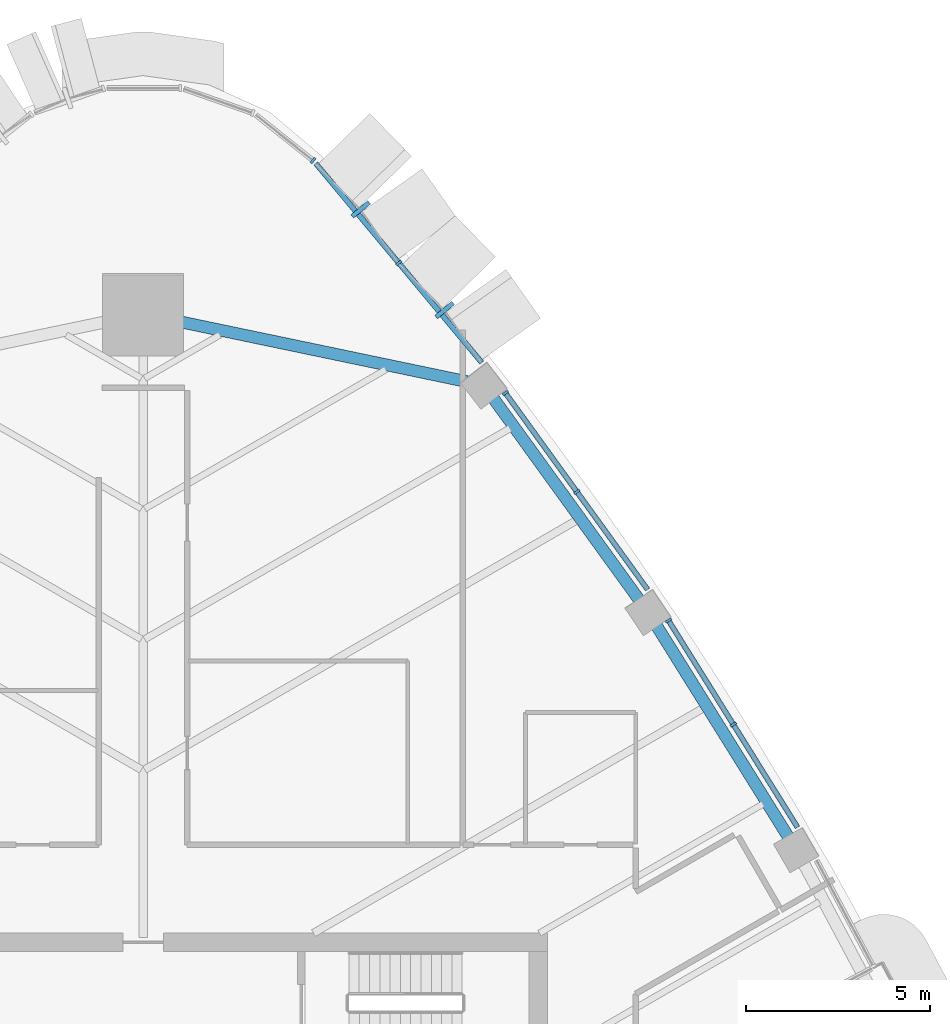
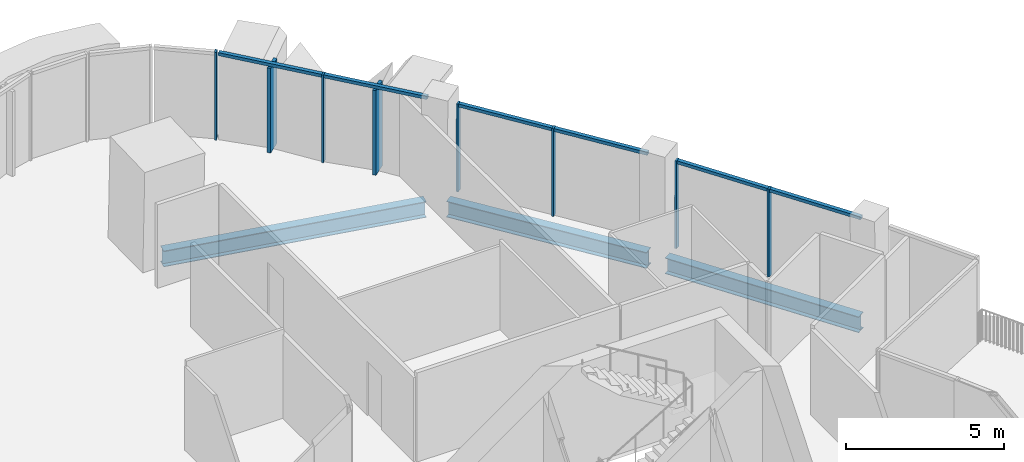
# One storey, part 8 of 21: 14 members, 3 beams, 4 elements without a shape of their own.
"""IFC4 building model written with IfcOpenShell, lengths in metres."""

import ifcopenshell
import ifcopenshell.guid

model = None  # the IFC model being written
_history = None  # IfcOwnerHistory: only IFC2X3 demands one
_inside = {}  # id of a spatial element -> (the spatial element, [elements in it])
_under = {}  # id of a project, library or spatial element -> (it, [spatial elements below it])
_declared = {}  # id of a project -> (the project, [libraries it declares])
_typed = {}  # id of a type object -> (the type object, [elements of that type])
_made_of = {}  # id of a material, layer set ... -> (it, [elements and type objects made of it])


def new_model(schema):
    """Start an empty IFC model of exactly this schema.

    Asked for "IFC4X3", IfcOpenShell would pick the latest addendum, in which some entities
    have other attributes; the version numbers below select the first issue.
    IFC2X3 requires an IfcOwnerHistory on every rooted entity: one is made here for all.
    """
    global model, _history
    if schema == "IFC4X3":
        model = ifcopenshell.file(schema_version=(4, 3, 0, 0))
    else:
        model = ifcopenshell.file(schema=schema)
    _inside.clear()
    _under.clear()
    _declared.clear()
    _typed.clear()
    _made_of.clear()
    _history = None
    if model.schema == "IFC2X3":
        org = make("IfcOrganization", Name="unknown")
        user = make(
            "IfcPersonAndOrganization",
            ThePerson=make("IfcPerson", FamilyName="unknown"),
            TheOrganization=org,
        )
        app = make(
            "IfcApplication",
            ApplicationDeveloper=org,
            Version="unknown",
            ApplicationFullName="unknown",
            ApplicationIdentifier="unknown",
        )
        _history = make(
            "IfcOwnerHistory",
            OwningUser=user,
            OwningApplication=app,
            ChangeAction="ADDED",
            CreationDate=0,
        )
    return model


def make(cls, **values):
    """One entity of the class cls with the attributes given. An attribute that is None is left unset."""
    return model.create_entity(
        cls, **{name: value for name, value in values.items() if value is not None}
    )


def rooted(cls, **values):
    """An entity with a GlobalId (a new one), such as an element, a storey or a relation."""
    return make(cls, GlobalId=ifcopenshell.guid.new(), OwnerHistory=_history, **values)


def si_unit(unit_type, name, prefix=None):
    """IfcSIUnit, for example si_unit("LENGTHUNIT", "METRE", prefix="MILLI")."""
    return make("IfcSIUnit", UnitType=unit_type, Prefix=prefix, Name=name)


def assignment(units):
    """IfcUnitAssignment: the units of a project."""
    return None if units is None else make("IfcUnitAssignment", Units=units)


def point(xyz):
    """IfcCartesianPoint."""
    return None if xyz is None else make("IfcCartesianPoint", Coordinates=xyz)


def direction(xyz):
    """IfcDirection."""
    return None if xyz is None else make("IfcDirection", DirectionRatios=xyz)


def frame(location, z_axis=None, x_axis=None):
    """IfcAxis2Placement3D, a coordinate frame: its origin and axes. An axis left out is left unset."""
    return make(
        "IfcAxis2Placement3D",
        Location=point(location),
        Axis=direction(z_axis),
        RefDirection=direction(x_axis),
    )


def frame_2d(location, x_axis=None):
    """IfcAxis2Placement2D, a coordinate frame in the plane: its origin and x axis."""
    return make(
        "IfcAxis2Placement2D", Location=point(location), RefDirection=direction(x_axis)
    )


def origin():
    """The frame at (0, 0, 0) with its axes left unset."""
    return frame((0.0, 0.0, 0.0))


def origin_2d():
    """The frame at (0, 0) in the plane with its x axis left unset."""
    return frame_2d((0.0, 0.0))


def place(relative_to, where):
    """IfcLocalPlacement: puts the frame where relative to a parent placement (None: the world)."""
    return make(
        "IfcLocalPlacement", PlacementRelTo=relative_to, RelativePlacement=where
    )


def context(
    kind, dimensions, precision=None, world=None, true_north=None, identifier=None
):
    """IfcGeometricRepresentationContext, for example the 3D "Model" context."""
    return make(
        "IfcGeometricRepresentationContext",
        ContextIdentifier=identifier,
        ContextType=kind,
        CoordinateSpaceDimension=dimensions,
        Precision=precision,
        WorldCoordinateSystem=world,
        TrueNorth=true_north,
    )


def subcontext(parent, identifier, kind, view, scale=None):
    """IfcGeometricRepresentationSubContext, for example "Body" below "Model"."""
    return make(
        "IfcGeometricRepresentationSubContext",
        ContextIdentifier=identifier,
        ContextType=kind,
        ParentContext=parent,
        TargetScale=scale,
        TargetView=view,
    )


def project(units=None, contexts=None):
    """IfcProject with its units and contexts."""
    return rooted(
        "IfcProject",
        Name="project",
        RepresentationContexts=contexts,
        UnitsInContext=assignment(units),
    )


def spatial(cls, under=None, at=None, **own):
    """A site, building, storey or space (cls), placed at a placement, below another one or the project."""
    s = rooted(cls, ObjectPlacement=at, **own)
    if under is not None:
        _under.setdefault(under.id(), (under, []))[1].append(s)
    return s


def profile(cls, at=None, kind="AREA", **sizes):
    """A parametric profile (cls). Its sizes go by their IFC names, for example OverallWidth=200.0."""
    return make(cls, ProfileType=kind, Position=at, **sizes)


def rectangle(**sizes):
    """IfcRectangleProfileDef."""
    return profile("IfcRectangleProfileDef", **sizes)


def i_section(**sizes):
    """IfcIShapeProfileDef."""
    return profile("IfcIShapeProfileDef", **sizes)


def extrude(swept, where, along, depth):
    """IfcExtrudedAreaSolid: the profile swept, set in the frame where, extruded along a direction by depth."""
    return make(
        "IfcExtrudedAreaSolid",
        SweptArea=swept,
        Position=where,
        ExtrudedDirection=direction(along),
        Depth=depth,
    )


def shape(context_of_items, identifier, shape_type, items):
    """IfcShapeRepresentation: the items that make up one representation, for example the "Body"."""
    return make(
        "IfcShapeRepresentation",
        ContextOfItems=context_of_items,
        RepresentationIdentifier=identifier,
        RepresentationType=shape_type,
        Items=items,
    )


def material(Name=None, Category=None):
    """IfcMaterial."""
    return make("IfcMaterial", Name=Name, Category=Category)


def layer(
    of_material, thickness, ventilated=None, Name=None, Category=None, Priority=None
):
    """IfcMaterialLayer: one layer of a wall or slab, of a material (None: an air gap)."""
    return make(
        "IfcMaterialLayer",
        Material=of_material,
        LayerThickness=thickness,
        IsVentilated=ventilated,
        Name=Name,
        Category=Category,
        Priority=Priority,
    )


def layer_set(layers, Name=None):
    """IfcMaterialLayerSet."""
    return make("IfcMaterialLayerSet", MaterialLayers=layers, LayerSetName=Name)


def material_profile(
    of_material, cross_section, Name=None, Category=None, Priority=None
):
    """IfcMaterialProfile: a cross section and its material."""
    return make(
        "IfcMaterialProfile",
        Name=Name,
        Material=of_material,
        Profile=cross_section,
        Priority=Priority,
        Category=Category,
    )


def profile_set(profiles, Name=None, composite=None):
    """IfcMaterialProfileSet."""
    return make(
        "IfcMaterialProfileSet",
        Name=Name,
        MaterialProfiles=profiles,
        CompositeProfile=composite,
    )


def made_of(thing, what):
    """Note that an element or type object is made of a material, layer set ...; save() writes the relation."""
    if what is not None:
        _made_of.setdefault(what.id(), (what, []))[1].append(thing)
    return thing


def type_object(cls, material=None, **own):
    """A type object (cls), such as IfcWallType, which elements share."""
    return made_of(rooted(cls, **own), material)


def element(
    cls,
    number,
    at=None,
    inside=None,
    cuts=None,
    type_object=None,
    material=None,
    context=None,
    identifier="Body",
    shape_type=None,
    held_by="IfcProductDefinitionShape",
    body=None,
    shapes=None,
    **own,
):
    """One element of the class cls, such as IfcWall. Its Tag is "e" and its number.

    at: its placement. inside: the storey or other place that contains it. cuts: it is an
    opening in that element (IfcRelVoidsElement). A single representation is given by context,
    identifier, shape_type and body (its items); several are given by shapes. held_by: the class
    of the entity that holds the representations. save() writes the other relations.
    """
    e = rooted(cls, Tag="e%d" % number, ObjectPlacement=at, **own)
    if body is not None:
        shapes = [shape(context, identifier, shape_type, body)]
    if shapes is not None:
        e.Representation = make(held_by, Representations=shapes)
    if inside is not None:
        _inside.setdefault(inside.id(), (inside, []))[1].append(e)
    if cuts is not None:
        rooted(
            "IfcRelVoidsElement", RelatingBuildingElement=cuts, RelatedOpeningElement=e
        )
    if type_object is not None:
        _typed.setdefault(type_object.id(), (type_object, []))[1].append(e)
    return made_of(e, material)


def aggregate(whole, parts):
    """IfcRelAggregates: a whole, such as a stair, and the parts it consists of."""
    return rooted("IfcRelAggregates", RelatingObject=whole, RelatedObjects=parts)


def save(model, path):
    """Write the relations noted so far, then the file.

    IfcRelAggregates (storeys below a building ...), IfcRelContainedInSpatialStructure (elements
    in a storey), IfcRelDefinesByType, IfcRelAssociatesMaterial and IfcRelDeclares: one each for
    every whole, place, type object, material and project.
    """
    for whole, parts in _under.values():
        aggregate(whole, parts)
    for where, things in _inside.values():
        rooted(
            "IfcRelContainedInSpatialStructure",
            RelatedElements=things,
            RelatingStructure=where,
        )
    for kind, things in _typed.values():
        rooted("IfcRelDefinesByType", RelatedObjects=things, RelatingType=kind)
    for what, things in _made_of.values():
        rooted("IfcRelAssociatesMaterial", RelatedObjects=things, RelatingMaterial=what)
    for by, libraries in _declared.values():
        rooted("IfcRelDeclares", RelatingContext=by, RelatedDefinitions=libraries)
    model.write(path)


model = new_model("IFC4")

# Units and contexts
model_context = context("Model", 3, precision=1e-05, world=origin(), true_north=direction((0.0, 1.0)))
body_context = subcontext(model_context, "Body", "Model", "MODEL_VIEW")
ifc_project = project(units=[si_unit("LENGTHUNIT", "METRE"), si_unit("AREAUNIT", "SQUARE_METRE"), si_unit("VOLUMEUNIT", "CUBIC_METRE"), si_unit("PLANEANGLEUNIT", "RADIAN"), si_unit("MASSUNIT", "GRAM", prefix="KILO")], contexts=[model_context])

# Site, building, storey
site_placement = place(None, origin())
site = spatial("IfcSite", under=ifc_project, at=site_placement, CompositionType="ELEMENT")
building_placement = place(site_placement, origin())
building = spatial("IfcBuilding", under=site, at=building_placement, Name="Sierra Prisma Convention Tower", CompositionType="ELEMENT")
storey_placement = place(building_placement, frame((0.0, 0.0, 259.0)))
storey = spatial("IfcBuildingStorey", under=building, at=storey_placement, Name="L58", CompositionType="ELEMENT", Elevation=259.0)

# Curtain wall, members
ifc_material_1 = material(Name="Aluminium and glass curtain wall", Category="aluminium")
ifc_layer_1 = layer(ifc_material_1, 0.179931640625)
ifc_layer_set_1 = layer_set([ifc_layer_1], Name="CW-2 Faceted crystal curtain wall")
curtain_wall_type_1 = type_object("IfcCurtainWallType", Name="CW-2 Faceted crystal curtain wall", PredefinedType="NOTDEFINED", material=ifc_layer_set_1)
curtain_wall_1_placement = place(storey_placement, origin())
curtain_wall_1 = element("IfcCurtainWall", 1, at=curtain_wall_1_placement, inside=storey, type_object=curtain_wall_type_1, Name="CW-2 NE6 L58", PredefinedType="NOTDEFINED")
ifc_material_2 = material(Name="Aluminium 6063-T6 bronze anodised", Category="aluminium")
ifc_material_profile_1 = material_profile(ifc_material_2, rectangle(XDim=0.1201171875, YDim=0.60009765625, at=origin_2d()), Name="ALU RIDGE BLADE 120x600")
ifc_profile_set_1 = profile_set([ifc_material_profile_1], Name="Aluminium 6063-T6 bronze anodised")
member_type_1 = type_object("IfcMemberType", Name="CW hip bronze", PredefinedType="MULLION", material=ifc_profile_set_1)
member_1_placement = place(storey_placement, frame((8.20068359375, 24.94873046875, 0.0), z_axis=(0.0, 0.0, 1.0), x_axis=(-0.64021803137, 0.768193251929, 0.0)))
member_1 = element("IfcMember", 2, at=member_1_placement, type_object=member_type_1, Name="CW-2 ridge NE6.1", PredefinedType="MULLION", context=body_context, shape_type="SweptSolid", body=[
    extrude(rectangle(XDim=0.1201171875, YDim=0.60009765625, at=origin_2d()), origin(), (0.0, 0.0, 1.0), 3.280029296875),
])
member_2_placement = place(storey_placement, frame((5.91943359375, 27.68603515625, 0.0), z_axis=(0.0, 0.0, 1.0), x_axis=(-0.64021803137, 0.768193251929, 0.0)))
member_2 = element("IfcMember", 3, at=member_2_placement, type_object=member_type_1, Name="CW-2 ridge NE6.2", PredefinedType="MULLION", context=body_context, shape_type="SweptSolid", body=[
    extrude(rectangle(XDim=0.1201171875, YDim=0.60009765625, at=origin_2d()), origin(), (0.0, 0.0, 1.0), 3.280029296875),
])

ifc_material_3 = material(Name="Aluminium and glass curtain wall", Category="aluminium")
ifc_layer_2 = layer(ifc_material_3, 0.179931640625)
ifc_layer_set_2 = layer_set([ifc_layer_2], Name="CW-1 Plain shaft curtain wall")
curtain_wall_type_2 = type_object("IfcCurtainWallType", Name="CW-1 Plain shaft curtain wall", PredefinedType="NOTDEFINED", material=ifc_layer_set_2)
curtain_wall_2_placement = place(storey_placement, origin())
curtain_wall_2 = element("IfcCurtainWall", 4, at=curtain_wall_2_placement, inside=storey, type_object=curtain_wall_type_2, Name="CW-1 NE4 L58", PredefinedType="NOTDEFINED")
ifc_material_4 = material(Name="Aluminium 6063-T6 bronze anodised", Category="aluminium")
ifc_material_profile_2 = material_profile(ifc_material_4, rectangle(XDim=0.179931640625, YDim=0.070068359375, at=origin_2d()), Name="ALU MULLION 70x180")
ifc_profile_set_2 = profile_set([ifc_material_profile_2], Name="Aluminium 6063-T6 bronze anodised")
member_type_2 = type_object("IfcMemberType", Name="CW mullion bronze", PredefinedType="MULLION", material=ifc_profile_set_2)
member_3_placement = place(storey_placement, frame((16.0556640625, 13.675048828125, 0.0), z_axis=(0.0, 0.0, 1.0), x_axis=(-0.848402914125, -0.529351013322, 0.0)))
member_3 = element("IfcMember", 5, at=member_3_placement, type_object=member_type_2, Name="CW-1 mullion NE4.2", PredefinedType="MULLION", context=body_context, shape_type="SweptSolid", body=[
    extrude(rectangle(XDim=0.179931640625, YDim=0.070068359375, at=origin_2d()), origin(), (0.0, 0.0, 1.0), 3.39990234375),
])
member_4_placement = place(storey_placement, frame((14.291748046875, 16.50244140625, 0.0), z_axis=(0.0, 0.0, 1.0), x_axis=(-0.848402914125, -0.529351013322, 0.0)))
member_4 = element("IfcMember", 6, at=member_4_placement, type_object=member_type_2, Name="CW-1 mullion NE4.3", PredefinedType="MULLION", context=body_context, shape_type="SweptSolid", body=[
    extrude(rectangle(XDim=0.179931640625, YDim=0.070068359375, at=origin_2d()), origin(), (0.0, 0.0, 1.0), 3.39990234375),
])

curtain_wall_3_placement = place(storey_placement, origin())
curtain_wall_3 = element("IfcCurtainWall", 7, at=curtain_wall_3_placement, inside=storey, type_object=curtain_wall_type_2, Name="CW-1 NE5 L58", PredefinedType="NOTDEFINED")
member_5_placement = place(storey_placement, frame((11.7998046875, 20.004638671875, 0.0), z_axis=(0.0, 0.0, 1.0), x_axis=(-0.810196682873, -0.586158114386, 0.0)))
member_5 = element("IfcMember", 8, at=member_5_placement, type_object=member_type_2, Name="CW-1 mullion NE5.2", PredefinedType="MULLION", context=body_context, shape_type="SweptSolid", body=[
    extrude(rectangle(XDim=0.179931640625, YDim=0.070068359375, at=origin_2d()), origin(), (0.0, 0.0, 1.0), 3.39990234375),
])
member_6_placement = place(storey_placement, frame((9.85546875, 22.692138671875, 0.0), z_axis=(0.0, 0.0, 1.0), x_axis=(-0.810196682873, -0.586158114386, 0.0)))
member_6 = element("IfcMember", 9, at=member_6_placement, type_object=member_type_2, Name="CW-1 mullion NE5.3", PredefinedType="MULLION", context=body_context, shape_type="SweptSolid", body=[
    extrude(rectangle(XDim=0.179931640625, YDim=0.070068359375, at=origin_2d()), origin(), (0.0, 0.0, 1.0), 3.39990234375),
])

# Member
member_7_placement = place(storey_placement, frame((6.95458984375, 26.229248046875, 0.0), z_axis=(0.0, 0.0, 1.0), x_axis=(-0.768193251929, -0.64021803137, 0.0)))
member_7 = element("IfcMember", 10, at=member_7_placement, type_object=member_type_2, Name="CW-1 mullion NE6.2", PredefinedType="MULLION", context=body_context, shape_type="SweptSolid", body=[
    extrude(rectangle(XDim=0.179931640625, YDim=0.070068359375, at=origin_2d()), origin(), (0.0, 0.0, 1.0), 3.39990234375),
])

# Curtain wall, member
curtain_wall_4_placement = place(storey_placement, origin())
curtain_wall_4 = element("IfcCurtainWall", 11, at=curtain_wall_4_placement, inside=storey, type_object=curtain_wall_type_2, Name="CW-1 N1 L58", PredefinedType="NOTDEFINED")
member_8_placement = place(storey_placement, frame((4.62353515625, 29.015380859375, 0.0), z_axis=(0.0, 0.0, 1.0), x_axis=(-0.623664655638, -0.781692009239, 0.0)))
member_8 = element("IfcMember", 12, at=member_8_placement, type_object=member_type_2, Name="CW-1 mullion N1.1", PredefinedType="MULLION", context=body_context, shape_type="SweptSolid", body=[
    extrude(rectangle(XDim=0.179931640625, YDim=0.070068359375, at=origin_2d()), origin(), (0.0, 0.0, 1.0), 3.39990234375),
])
aggregate(curtain_wall_4, [member_8])

# Member
ifc_material_5 = material(Name="Aluminium 6063-T6 bronze anodised", Category="aluminium")
ifc_material_profile_3 = material_profile(ifc_material_5, rectangle(XDim=0.139892578125, YDim=0.1201171875, at=origin_2d()), Name="ALU TRANSOM 120x140")
ifc_profile_set_3 = profile_set([ifc_material_profile_3], Name="Aluminium 6063-T6 bronze anodised")
member_type_3 = type_object("IfcMemberType", Name="CW transom bronze", PredefinedType="USERDEFINED", material=ifc_profile_set_3)
member_9_placement = place(storey_placement, frame((17.80126953125, 10.877685546875, 3.340087890625), z_axis=(-0.529373220129, 0.848389058045, 0.0), x_axis=(-0.848389058045, -0.529373220129, 0.0)))
member_9 = element("IfcMember", 13, at=member_9_placement, type_object=member_type_3, Name="CW-1 transom NE4.1", ObjectType="TRANSOM", PredefinedType="USERDEFINED", context=body_context, shape_type="SweptSolid", body=[
    extrude(rectangle(XDim=0.139892578125, YDim=0.1201171875, at=origin_2d()), origin(), (0.0, 0.0, 1.0), 3.262451171875),
])

member_10_placement = place(storey_placement, frame((16.037109375, 13.704833984375, 3.340087890625), z_axis=(-0.529319354364, 0.848422666538, 0.0), x_axis=(-0.848422666538, -0.529319354364, 0.0)))
member_10 = element("IfcMember", 14, at=member_10_placement, type_object=member_type_3, Name="CW-1 transom NE4.2", ObjectType="TRANSOM", PredefinedType="USERDEFINED", context=body_context, shape_type="SweptSolid", body=[
    extrude(rectangle(XDim=0.139892578125, YDim=0.1201171875, at=origin_2d()), origin(), (0.0, 0.0, 1.0), 3.26220703125),
])

aggregate(curtain_wall_2, [member_3, member_4, member_9, member_10])

member_11_placement = place(storey_placement, frame((13.723876953125, 17.34521484375, 3.340087890625), z_axis=(-0.586162837113, 0.810193266072, 0.0), x_axis=(-0.810193266072, -0.586162837113, 0.0)))
member_11 = element("IfcMember", 15, at=member_11_placement, type_object=member_type_3, Name="CW-1 transom NE5.1", ObjectType="TRANSOM", PredefinedType="USERDEFINED", context=body_context, shape_type="SweptSolid", body=[
    extrude(rectangle(XDim=0.139892578125, YDim=0.1201171875, at=origin_2d()), origin(), (0.0, 0.0, 1.0), 3.24755859375),
])

member_12_placement = place(storey_placement, frame((11.779296875, 20.032958984375, 3.340087890625), z_axis=(-0.586149190193, 0.810203139241, 0.0), x_axis=(-0.810203139241, -0.586149190193, 0.0)))
member_12 = element("IfcMember", 16, at=member_12_placement, type_object=member_type_3, Name="CW-1 transom NE5.2", ObjectType="TRANSOM", PredefinedType="USERDEFINED", context=body_context, shape_type="SweptSolid", body=[
    extrude(rectangle(XDim=0.139892578125, YDim=0.1201171875, at=origin_2d()), origin(), (0.0, 0.0, 1.0), 3.2470703125),
])

aggregate(curtain_wall_3, [member_5, member_6, member_11, member_12])

member_13_placement = place(storey_placement, frame((9.21337890625, 23.518798828125, 3.340087890625), z_axis=(-0.640184399664, 0.768221279597, 0.0), x_axis=(-0.768221279597, -0.640184399664, 0.0)))
member_13 = element("IfcMember", 17, at=member_13_placement, type_object=member_type_3, Name="CW-1 transom NE6.1", ObjectType="TRANSOM", PredefinedType="USERDEFINED", context=body_context, shape_type="SweptSolid", body=[
    extrude(rectangle(XDim=0.139892578125, YDim=0.1201171875, at=origin_2d()), origin(), (0.0, 0.0, 1.0), 3.4931640625),
])

member_14_placement = place(storey_placement, frame((6.93212890625, 26.256103515625, 3.340087890625), z_axis=(-0.640225642938, 0.768186908326, 0.0), x_axis=(-0.768186908326, -0.640225642938, 0.0)))
member_14 = element("IfcMember", 18, at=member_14_placement, type_object=member_type_3, Name="CW-1 transom NE6.2", ObjectType="TRANSOM", PredefinedType="USERDEFINED", context=body_context, shape_type="SweptSolid", body=[
    extrude(rectangle(XDim=0.139892578125, YDim=0.1201171875, at=origin_2d()), origin(), (0.0, 0.0, 1.0), 3.493408203125),
])

aggregate(curtain_wall_1, [member_7, member_13, member_1, member_14, member_2])

# Beams
ifc_material_6 = material(Name="Steel ASTM A992 Gr 50", Category="steel")
ifc_material_profile_4 = material_profile(ifc_material_6, i_section(OverallWidth=0.324951171875, OverallDepth=0.615966796875, WebThickness=0.013916015625, FlangeThickness=0.021484375, at=origin_2d()), Name="W610x174")
ifc_profile_set_4 = profile_set([ifc_material_profile_4], Name="Steel ASTM A992 Gr 50")
beam_type = type_object("IfcBeamType", Name="Spandrel beam W610x174", PredefinedType="BEAM", material=ifc_profile_set_4)
for number, where, z_axis, x_axis, name in (
    (19, (17.598388671875, 10.54150390625, -0.4580078125), (-0.529321090992, 0.848421583077, 0.0), (-0.848421583077, -0.529321090992, 0.0), "Spandrel L58-10"),
    (20, (13.544677734375, 16.99609375, -0.4580078125), (-0.586159947354, 0.810195356761, 0.0), (-0.810195356761, -0.586159947354, 0.0), "Spandrel L58-11"),
):
    element("IfcBeam", number, at=place(storey_placement, frame(where, z_axis=z_axis, x_axis=x_axis)), inside=storey, type_object=beam_type, Name=name, PredefinedType="BEAM", context=body_context, shape_type="SweptSolid", body=[
        extrude(i_section(OverallWidth=0.324951171875, OverallDepth=0.615966796875, WebThickness=0.013916015625, FlangeThickness=0.021484375, at=origin_2d()), origin(), (0.0, 0.0, 1.0), 6.96240234375),
    ])
beam_placement = place(storey_placement, frame((8.809326171875, 23.000732421875, -0.4580078125), z_axis=(-0.978900252178, 0.204338680348, 0.0), x_axis=(-0.204338680348, -0.978900252178, 0.0)))
element("IfcBeam", 21, at=beam_placement, inside=storey, type_object=beam_type, Name="Spandrel L58-12", PredefinedType="BEAM", context=body_context, shape_type="SweptSolid", body=[
    extrude(i_section(OverallWidth=0.324951171875, OverallDepth=0.615966796875, WebThickness=0.013916015625, FlangeThickness=0.021484375, at=origin_2d()), origin(), (0.0, 0.0, 1.0), 8.7744140625),
])

save(model, "model.ifc")
